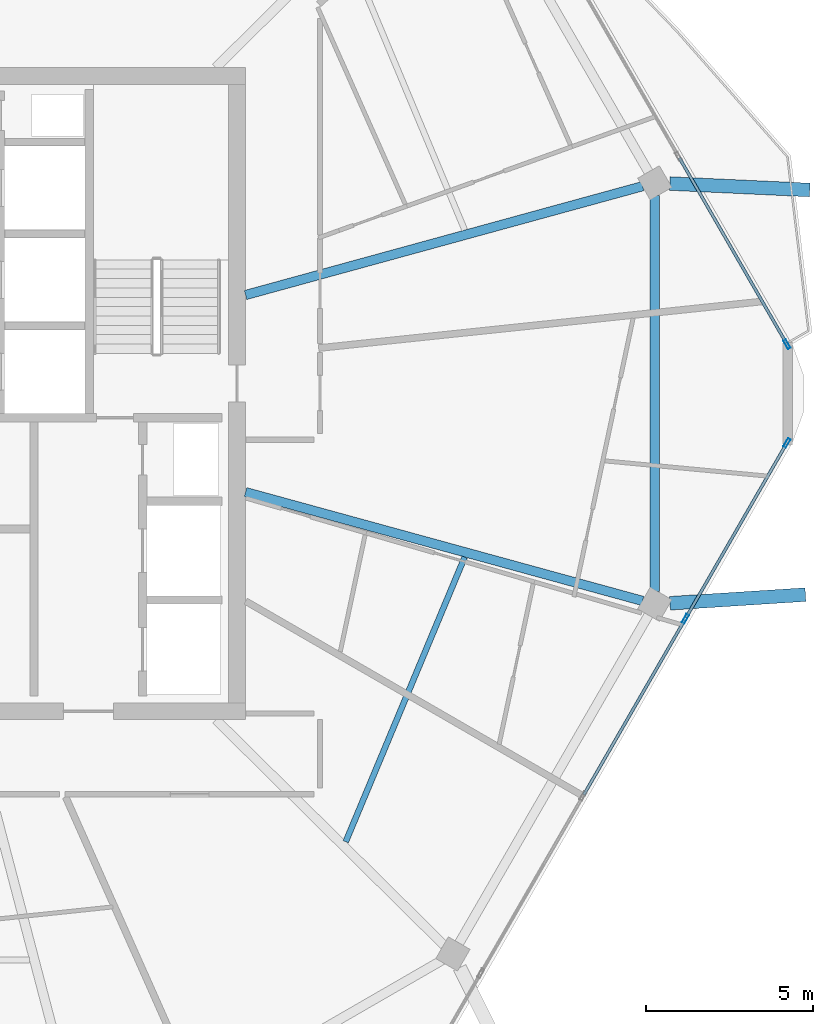
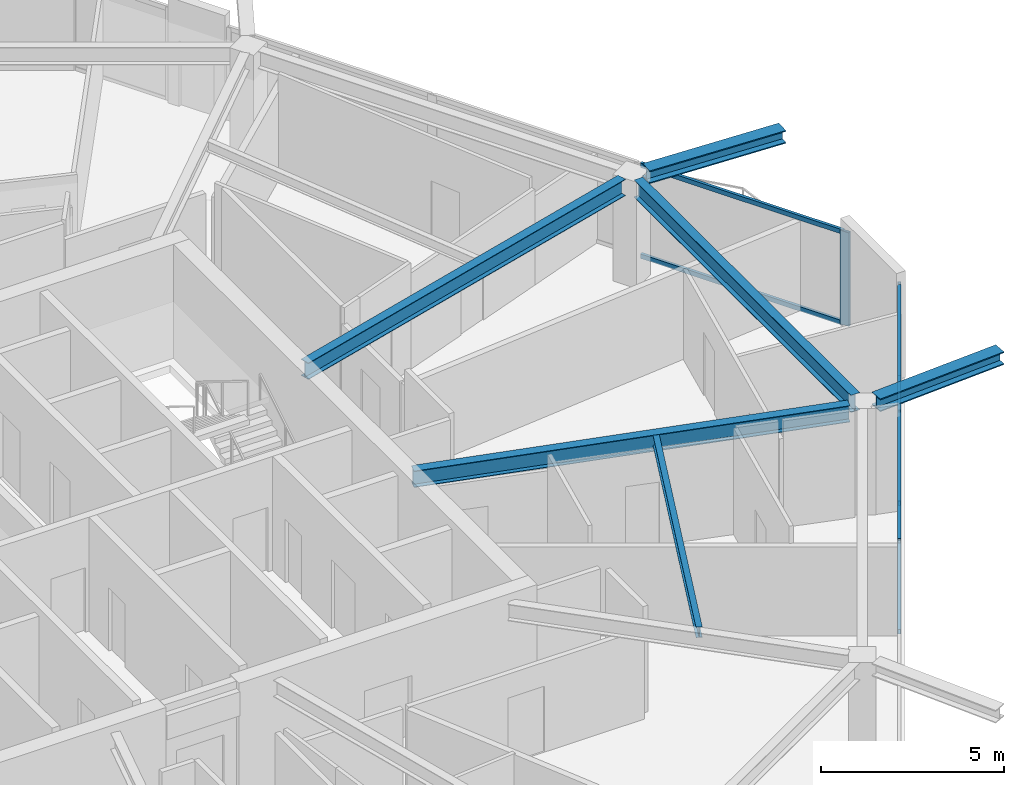
# One storey, part 6 of 18: 9 members, 6 beams, 2 elements without a shape of their own.
"""IFC4 building model written with IfcOpenShell, lengths in metres."""

from ifc_helpers import new_model, si_unit, direction, frame, origin, origin_2d, place, context, subcontext, project, spatial, hollow_rectangle, i_section, extrude, material, material_profile, profile_set, type_object, element, aggregate, save


model = new_model("IFC4")

# Units and contexts
model_context = context("Model", 3, precision=1e-05, world=origin(), true_north=direction((0.0, 1.0)))
body_context = subcontext(model_context, "Body", "Model", "MODEL_VIEW")
ifc_project = project(units=[si_unit("LENGTHUNIT", "METRE"), si_unit("AREAUNIT", "SQUARE_METRE"), si_unit("VOLUMEUNIT", "CUBIC_METRE"), si_unit("PLANEANGLEUNIT", "RADIAN"), si_unit("MASSUNIT", "GRAM", prefix="KILO")], contexts=[model_context])

# Site, building, storey
site_placement = place(None, origin())
site = spatial("IfcSite", under=ifc_project, at=site_placement, CompositionType="ELEMENT")
building_placement = place(site_placement, origin())
building = spatial("IfcBuilding", under=site, at=building_placement, Name="Zuhravey Tower", CompositionType="ELEMENT")
storey_placement = place(building_placement, frame((0.0, 0.0, 342.39990234375)))
storey = spatial("IfcBuildingStorey", under=building, at=storey_placement, Name="L87", CompositionType="ELEMENT", Elevation=342.39990234375)

# Curtain wall, members
ifc_material_1 = material(Name="Thermally broken anodised aluminium", Category="aluminium")
curtain_wall_type = type_object("IfcCurtainWallType", Name="Zone 3-4 High-Rise Curtain Wall CW4", PredefinedType="NOTDEFINED", material=ifc_material_1)
curtain_wall_1_placement = place(storey_placement, origin())
curtain_wall_1 = element("IfcCurtainWall", 1, at=curtain_wall_1_placement, inside=storey, type_object=curtain_wall_type, Name="L87 CW4 CW-L87-F6-1", PredefinedType="NOTDEFINED")
ifc_material_2 = material(Name="Anodised aluminium", Category="aluminium")
ifc_material_profile_1 = material_profile(ifc_material_2, hollow_rectangle(XDim=0.090087890625, YDim=0.284912109375, WallThickness=0.0048828125, at=origin_2d()), Name="ALU-RHS-90x285x5")
ifc_profile_set_1 = profile_set([ifc_material_profile_1], Name="Anodised aluminium")
member_type_1 = type_object("IfcMemberType", Name="Curtain-Wall Mullion 90x180", PredefinedType="MULLION", material=ifc_profile_set_1)
member_1_placement = place(storey_placement, frame((62.94580078125, 30.5234375, 0.0), z_axis=(0.0, 0.0, 1.0), x_axis=(0.866025511541, -0.49999981336, 0.0)))
member_1 = element("IfcMember", 2, at=member_1_placement, type_object=member_type_1, Name="CW4 mullion 1", PredefinedType="MULLION", context=body_context, shape_type="SweptSolid", body=[
    extrude(hollow_rectangle(XDim=0.090087890625, YDim=0.284912109375, WallThickness=0.0048828125, at=origin_2d()), origin(), (0.0, 0.0, 1.0), 3.1220703125),
])
member_2_placement = place(storey_placement, frame((59.90869140625, 25.2626953125, 0.0), z_axis=(0.0, 0.0, 1.0), x_axis=(0.866025511541, -0.49999981336, 0.0)))
member_2 = element("IfcMember", 3, at=member_2_placement, type_object=member_type_1, Name="CW4 mullion 2", PredefinedType="MULLION", context=body_context, shape_type="SweptSolid", body=[
    extrude(hollow_rectangle(XDim=0.090087890625, YDim=0.284912109375, WallThickness=0.0048828125, at=origin_2d()), origin(), (0.0, 0.0, 1.0), 3.1220703125),
])

# Curtain wall, member
curtain_wall_2_placement = place(storey_placement, origin())
curtain_wall_2 = element("IfcCurtainWall", 4, at=curtain_wall_2_placement, inside=storey, type_object=curtain_wall_type, Name="L87 CW4 CW-L87-F1-2", PredefinedType="NOTDEFINED")
member_3_placement = place(storey_placement, frame((62.94580078125, 33.4765625, 0.0), z_axis=(0.0, 0.0, 1.0), x_axis=(0.866024524765, 0.500001522502, 0.0)))
member_3 = element("IfcMember", 5, at=member_3_placement, type_object=member_type_1, Name="CW4 mullion 4", PredefinedType="MULLION", context=body_context, shape_type="SweptSolid", body=[
    extrude(hollow_rectangle(XDim=0.090087890625, YDim=0.284912109375, WallThickness=0.0048828125, at=origin_2d()), origin(), (0.0, 0.0, 1.0), 3.1220703125),
])

# Member
ifc_material_profile_2 = material_profile(ifc_material_2, hollow_rectangle(XDim=0.090087890625, YDim=0.14990234375, WallThickness=0.0048828125, at=origin_2d()), Name="ALU-RHS-90x150x5")
ifc_profile_set_2 = profile_set([ifc_material_profile_2], Name="Anodised aluminium")
member_type_2 = type_object("IfcMemberType", Name="Curtain-Wall Transom 90x150", PredefinedType="USERDEFINED", material=ifc_profile_set_2)
member_4_placement = place(storey_placement, frame((62.92333984375, 30.484619140625, 0.045166015625), z_axis=(-0.499982594807, -0.866035452444, 0.0), x_axis=(0.866035452444, -0.499982594807, 0.0)))
member_4 = element("IfcMember", 6, at=member_4_placement, type_object=member_type_2, Name="CW4 transom 1.1", ObjectType="TRANSOM", PredefinedType="USERDEFINED", context=body_context, shape_type="SweptSolid", body=[
    extrude(hollow_rectangle(XDim=0.090087890625, YDim=0.14990234375, WallThickness=0.0048828125, at=origin_2d()), origin(), (0.0, 0.0, 1.0), 5.984619140625),
])

member_5_placement = place(storey_placement, frame((62.92333984375, 30.484619140625, 3.0771484375), z_axis=(-0.499982594807, -0.866035452444, 0.0), x_axis=(0.866035452444, -0.499982594807, 0.0)))
member_5 = element("IfcMember", 7, at=member_5_placement, type_object=member_type_2, Name="CW4 transom 1.2", ObjectType="TRANSOM", PredefinedType="USERDEFINED", context=body_context, shape_type="SweptSolid", body=[
    extrude(hollow_rectangle(XDim=0.090087890625, YDim=0.14990234375, WallThickness=0.0048828125, at=origin_2d()), origin(), (0.0, 0.0, 1.0), 5.984619140625),
])

member_6_placement = place(storey_placement, frame((59.885986328125, 25.2236328125, 0.045166015625), z_axis=(-0.499988837749, -0.866031848217, 0.0), x_axis=(0.866031848217, -0.499988837749, 0.0)))
member_6 = element("IfcMember", 8, at=member_6_placement, type_object=member_type_2, Name="CW4 transom 2.1", ObjectType="TRANSOM", PredefinedType="USERDEFINED", context=body_context, shape_type="SweptSolid", body=[
    extrude(hollow_rectangle(XDim=0.090087890625, YDim=0.14990234375, WallThickness=0.0048828125, at=origin_2d()), origin(), (0.0, 0.0, 1.0), 6.029541015625),
])

member_7_placement = place(storey_placement, frame((59.885986328125, 25.2236328125, 3.0771484375), z_axis=(-0.499988837749, -0.866031848217, 0.0), x_axis=(0.866031848217, -0.499988837749, 0.0)))
member_7 = element("IfcMember", 9, at=member_7_placement, type_object=member_type_2, Name="CW4 transom 2.2", ObjectType="TRANSOM", PredefinedType="USERDEFINED", context=body_context, shape_type="SweptSolid", body=[
    extrude(hollow_rectangle(XDim=0.090087890625, YDim=0.14990234375, WallThickness=0.0048828125, at=origin_2d()), origin(), (0.0, 0.0, 1.0), 6.029541015625),
])

aggregate(curtain_wall_1, [member_1, member_2, member_4, member_5, member_6, member_7])

member_8_placement = place(storey_placement, frame((59.728759765625, 39.048583984375, 0.045166015625), z_axis=(0.499998094172, -0.866026504112, 0.0), x_axis=(0.866026504112, 0.499998094172, 0.0)))
member_8 = element("IfcMember", 10, at=member_8_placement, type_object=member_type_2, Name="CW4 transom 3.1", ObjectType="TRANSOM", PredefinedType="USERDEFINED", context=body_context, shape_type="SweptSolid", body=[
    extrude(hollow_rectangle(XDim=0.090087890625, YDim=0.14990234375, WallThickness=0.0048828125, at=origin_2d()), origin(), (0.0, 0.0, 1.0), 6.38916015625),
])

member_9_placement = place(storey_placement, frame((59.728759765625, 39.048583984375, 3.0771484375), z_axis=(0.499998094172, -0.866026504112, 0.0), x_axis=(0.866026504112, 0.499998094172, 0.0)))
member_9 = element("IfcMember", 11, at=member_9_placement, type_object=member_type_2, Name="CW4 transom 3.2", ObjectType="TRANSOM", PredefinedType="USERDEFINED", context=body_context, shape_type="SweptSolid", body=[
    extrude(hollow_rectangle(XDim=0.090087890625, YDim=0.14990234375, WallThickness=0.0048828125, at=origin_2d()), origin(), (0.0, 0.0, 1.0), 6.38916015625),
])

aggregate(curtain_wall_2, [member_3, member_8, member_9])

# Beams
ifc_material_3 = material(Name="Steel SM460", Category="steel")
ifc_material_profile_3 = material_profile(ifc_material_3, i_section(OverallWidth=0.406982421875, OverallDepth=0.427978515625, WebThickness=0.02001953125, FlangeThickness=0.034912109375, at=origin_2d()), Name="H-428x407x20x35")
ifc_profile_set_3 = profile_set([ifc_material_profile_3], Name="Steel SM460")
beam_type_1 = type_object("IfcBeamType", Name="Exoskeleton Node Tie Beam H428x407", PredefinedType="BEAM", material=ifc_profile_set_3)
beam_1_placement = place(storey_placement, frame((59.442138671875, 38.28173828125, 3.336181640625), z_axis=(0.99893780651, -0.046078831639, 0.0), x_axis=(0.046078831639, 0.99893780651, 0.0)))
element("IfcBeam", 12, at=beam_1_placement, inside=storey, type_object=beam_type_1, Name="L87 Exoskeleton Node Tie NT1-01", PredefinedType="BEAM", context=body_context, shape_type="SweptSolid", body=[
    extrude(i_section(OverallWidth=0.406982421875, OverallDepth=0.427978515625, WebThickness=0.02001953125, FlangeThickness=0.034912109375, at=origin_2d()), origin(), (0.0, 0.0, 1.0), 4.19091796875),
])
beam_2_placement = place(storey_placement, frame((59.447021484375, 25.7265625, 3.336181640625), z_axis=(0.997954987894, 0.06392059244, 0.0), x_axis=(-0.06392059244, 0.997954987894, 0.0)))
element("IfcBeam", 13, at=beam_2_placement, inside=storey, type_object=beam_type_1, Name="L87 Exoskeleton Node Tie NT1-12", PredefinedType="BEAM", context=body_context, shape_type="SweptSolid", body=[
    extrude(i_section(OverallWidth=0.406982421875, OverallDepth=0.427978515625, WebThickness=0.02001953125, FlangeThickness=0.034912109375, at=origin_2d()), origin(), (0.0, 0.0, 1.0), 4.06005859375),
])
ifc_material_4 = material(Name="Steel SM355", Category="steel")
ifc_material_profile_4 = material_profile(ifc_material_4, i_section(OverallWidth=0.280029296875, OverallDepth=0.580078125, WebThickness=0.011962890625, FlangeThickness=0.01904296875, at=origin_2d()), Name="H-580x280x12x19")
ifc_profile_set_4 = profile_set([ifc_material_profile_4], Name="Steel SM355")
beam_type_2 = type_object("IfcBeamType", Name="Perimeter Ring Beam H580x280", PredefinedType="BEAM", material=ifc_profile_set_4)
beam_3_placement = place(storey_placement, frame((58.993408203125, 26.07568359375, 3.260009765625), z_axis=(0.0, 1.0, 0.0), x_axis=(-1.0, 0.0, 0.0)))
element("IfcBeam", 14, at=beam_3_placement, inside=storey, type_object=beam_type_2, Name="L87 PB4 BM-L87-PB-12", PredefinedType="BEAM", context=body_context, shape_type="SweptSolid", body=[
    extrude(i_section(OverallWidth=0.280029296875, OverallDepth=0.580078125, WebThickness=0.011962890625, FlangeThickness=0.01904296875, at=origin_2d()), origin(), (0.0, 0.0, 1.0), 11.8486328125),
])
ifc_material_profile_5 = material_profile(ifc_material_4, i_section(OverallWidth=0.280029296875, OverallDepth=0.550048828125, WebThickness=0.010986328125, FlangeThickness=0.01806640625, at=origin_2d()), Name="H-550x280x11x18")
ifc_profile_set_5 = profile_set([ifc_material_profile_5], Name="Steel SM355")
beam_type_3 = type_object("IfcBeamType", Name="Radial Primary Girder H550x280", PredefinedType="BEAM", material=ifc_profile_set_5)
for number, where, z_axis, x_axis, name in (
    (15, (46.7529296875, 34.947265625, 3.275146484375), (0.964428588077, 0.264343523658, 0.0), (-0.264343523658, 0.964428588077, 0.0), "L87 RG4 BM-L87-RAD-01"),
    (16, (46.7529296875, 29.052734375, 3.275146484375), (0.964428588077, -0.264343523658, 0.0), (0.264343523658, 0.964428588077, 0.0), "L87 RG4 BM-L87-RAD-12"),
):
    element("IfcBeam", number, at=place(storey_placement, frame(where, z_axis=z_axis, x_axis=x_axis)), inside=storey, type_object=beam_type_3, Name=name, PredefinedType="BEAM", context=body_context, shape_type="SweptSolid", body=[
        extrude(i_section(OverallWidth=0.280029296875, OverallDepth=0.550048828125, WebThickness=0.010986328125, FlangeThickness=0.01806640625, at=origin_2d()), origin(), (0.0, 0.0, 1.0), 12.31396484375),
    ])
ifc_material_profile_6 = material_profile(ifc_material_4, i_section(OverallWidth=0.175048828125, OverallDepth=0.35009765625, WebThickness=0.007080078125, FlangeThickness=0.010986328125, at=origin_2d()), Name="H-350x175x7x11")
ifc_profile_set_6 = profile_set([ifc_material_profile_6], Name="Steel SM355")
beam_type_4 = type_object("IfcBeamType", Name="Secondary Floor Joist H350x175", PredefinedType="JOIST", material=ifc_profile_set_6)
beam_4_placement = place(storey_placement, frame((49.7490234375, 18.59521484375, 3.375), z_axis=(0.385657891576, 0.922641853953, 0.0), x_axis=(-0.922641853953, 0.385657891576, 0.0)))
element("IfcBeam", 17, at=beam_4_placement, inside=storey, type_object=beam_type_4, Name="L87 SJ3 BM-L87-SJ-11-1", PredefinedType="JOIST", context=body_context, shape_type="SweptSolid", body=[
    extrude(i_section(OverallWidth=0.175048828125, OverallDepth=0.35009765625, WebThickness=0.007080078125, FlangeThickness=0.010986328125, at=origin_2d()), origin(), (0.0, 0.0, 1.0), 9.226806640625),
])

save(model, "model.ifc")
